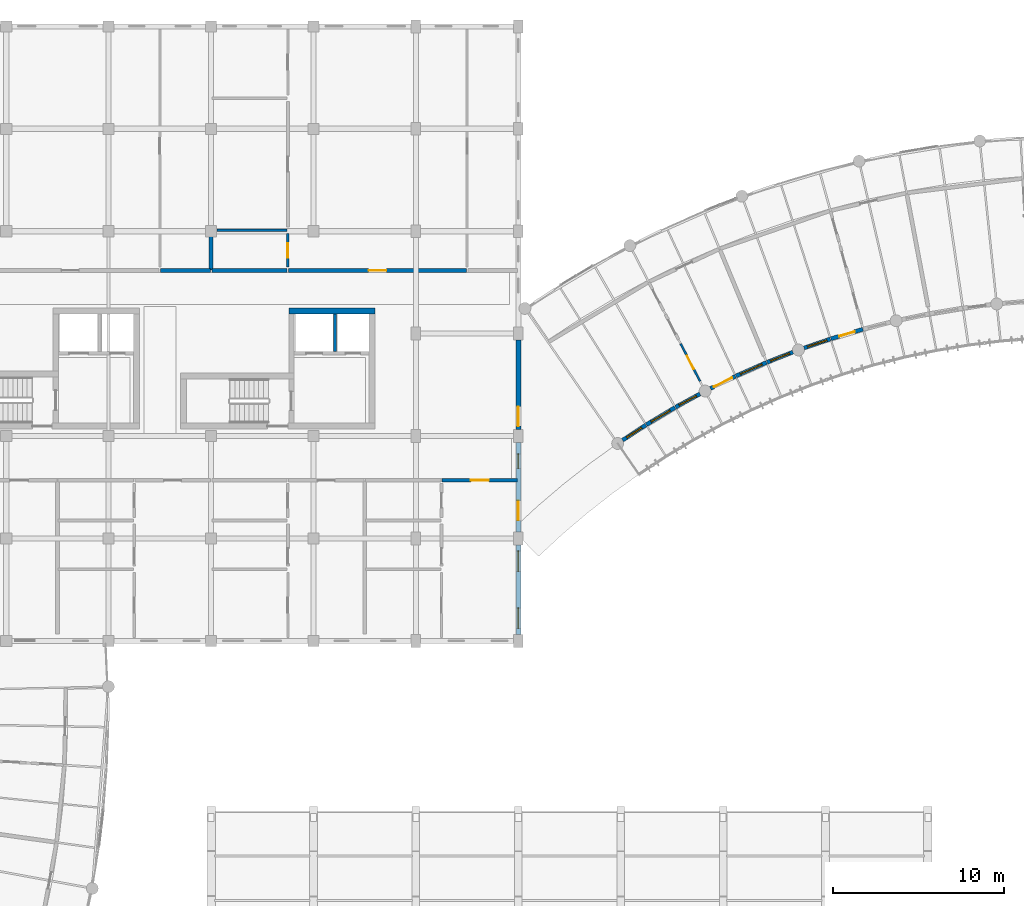
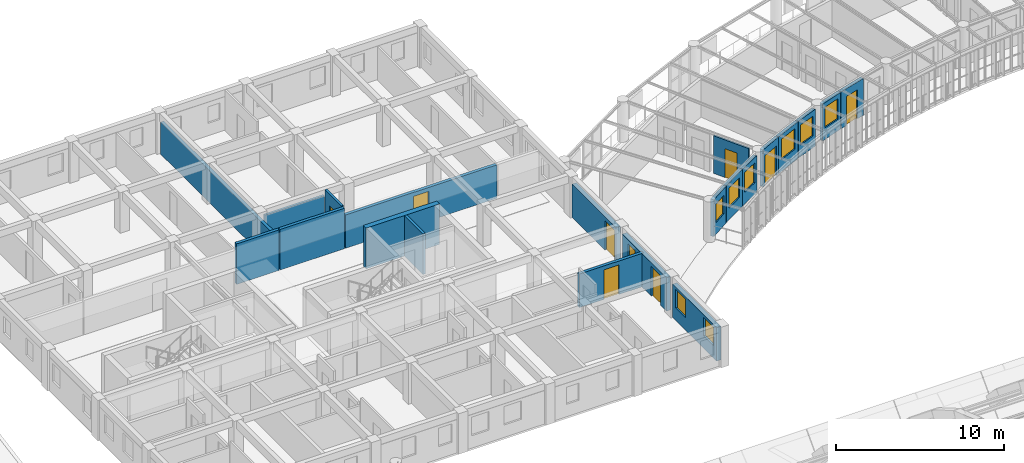
# One storey, part 91 of 123: 21 walls, 9 windows, 8 doors, 17 openings.
"""IFC4 building model written with IfcOpenShell, lengths in metres."""

from ifc_helpers import new_model, si_unit, direction, frame, frame_2d, origin, place, context, subcontext, project, spatial, rectangle, extrude, material, layer, layer_set, type_object, element, fill, save


model = new_model("IFC4")

# Units and contexts
model_context = context("Model", 3, precision=1e-05, world=origin(), true_north=direction((0.0, 1.0)))
body_context = subcontext(model_context, "Body", "Model", "MODEL_VIEW")
ifc_project = project(units=[si_unit("LENGTHUNIT", "METRE"), si_unit("AREAUNIT", "SQUARE_METRE"), si_unit("VOLUMEUNIT", "CUBIC_METRE"), si_unit("PLANEANGLEUNIT", "RADIAN"), si_unit("MASSUNIT", "GRAM", prefix="KILO"), si_unit("POWERUNIT", "WATT"), si_unit("THERMODYNAMICTEMPERATUREUNIT", "KELVIN")], contexts=[model_context])

# Site, building, storey
site_placement = place(None, origin())
site = spatial("IfcSite", under=ifc_project, at=site_placement, CompositionType="ELEMENT")
building_placement = place(site_placement, origin())
building = spatial("IfcBuilding", under=site, at=building_placement, Name="Ruvembo Vaulted Housing Court", CompositionType="ELEMENT")
storey_placement = place(building_placement, frame((0.0, 0.0, 7.699951171875)))
storey = spatial("IfcBuildingStorey", under=building, at=storey_placement, Name="L02", CompositionType="ELEMENT", Elevation=7.699951171875)

# Wall
ifc_material_1 = material(Name="Concrete C35/45", Category="concrete")
ifc_layer_1 = layer(ifc_material_1, 0.35009765625, Name="Concrete C35/45")
ifc_layer_set_1 = layer_set([ifc_layer_1], Name="Concrete C35/45")
wall_type_1 = type_object("IfcWallType", Name="WL-CORE-350", PredefinedType="SHEAR", material=ifc_layer_set_1)
wall_1_placement = place(storey_placement, frame((75.60009765625, 97.324951171875, 0.0), z_axis=(0.0, 0.0, 1.0), x_axis=(-1.0, 0.0, 0.0)))
element("IfcWall", 1, at=wall_1_placement, inside=storey, type_object=wall_type_1, Name="Core B2 L02 North Shear Wall", PredefinedType="SHEAR", context=body_context, shape_type="SweptSolid", body=[
    extrude(rectangle(XDim=5.050048828125, YDim=0.35009765625, at=frame_2d((2.52490234375, 0.0))), origin(), (0.0, 0.0, 1.0), 2.955078125),
])

# Wall, opening, door
ifc_material_2 = material(Name="Concrete Blockwork 210", Category="masonry")
ifc_layer_2 = layer(ifc_material_2, 0.2099609375, Name="Concrete Blockwork 210")
ifc_layer_set_2 = layer_set([ifc_layer_2], Name="Concrete Blockwork 210")
wall_type_2 = type_object("IfcWallType", Name="WL-CORR-210", PredefinedType="SOLIDWALL", material=ifc_layer_set_2)
wall_2_placement = place(storey_placement, frame((79.5400390625, 87.39990234375, 0.0), z_axis=(0.0, 0.0, 1.0), x_axis=(1.0, 0.0, 0.0)))
wall_2 = element("IfcWall", 2, at=wall_2_placement, inside=storey, type_object=wall_type_2, Name="L02 Flat B-L02-S4 Entrance WL-INT-L02-00557", PredefinedType="SOLIDWALL", context=body_context, shape_type="SweptSolid", body=[
    extrude(rectangle(XDim=4.419921875, YDim=0.2099609375, at=frame_2d((2.2099609375, 0.0))), origin(), (0.0, 0.0, 1.0), 2.43701171875),
])
opening_1_placement = place(wall_2_placement, frame((1.68505859375, 0.0, 0.0)))
opening_1 = element("IfcOpeningElement", 3, at=opening_1_placement, cuts=wall_2, Name="Opening FD3", PredefinedType="OPENING", context=body_context, shape_type="SweptSolid", body=[
    extrude(rectangle(XDim=1.050048828125, YDim=2.14990234375, at=frame_2d((0.52490234375, 1.074951171875))), frame((0.0, 0.114990234375, 0.0), z_axis=(0.0, -1.0, 0.0), x_axis=(1.0, 0.0, 0.0)), (0.0, 0.0, 1.0), 0.22998046875),
])
ifc_material_3 = material(Name="FSC Hardwood and Engineered Timber", Category="wood")
door_type_1 = type_object("IfcDoorType", Name="DR-FLAT-1050x2150", OperationType="NOTDEFINED", PredefinedType="DOOR", material=ifc_material_3)
door_1_placement = place(opening_1_placement, origin())
door_1 = element("IfcDoor", 4, at=door_1_placement, inside=storey, type_object=door_type_1, Name="L02 Flat B-L02-S4 Entrance Door DR-INT-L02-00302", OperationType="SINGLE_SWING_RIGHT", OverallHeight=2.14990234375, OverallWidth=1.050048828125, PredefinedType="DOOR", context=body_context, shape_type="SweptSolid", body=[
    extrude(rectangle(XDim=1.050048828125, YDim=2.14990234375, at=frame_2d((0.52490234375, 1.074951171875))), frame((0.0, 0.02490234375, 0.0), z_axis=(0.0, -1.0, 0.0), x_axis=(1.0, 0.0, 0.0)), (0.0, 0.0, 1.0), 0.050048828125),
])
fill(opening_1, door_1)

# Walls
wall_3_placement = place(storey_placement, frame((63.0400390625, 99.699951171875, 0.0), z_axis=(0.0, 0.0, 1.0), x_axis=(1.0, 0.0, 0.0)))
element("IfcWall", 5, at=wall_3_placement, inside=storey, type_object=wall_type_2, Name="L02 Flat B-L02-N1 Corridor Wall 2 WL-INT-L02-00571", PredefinedType="SOLIDWALL", context=body_context, shape_type="SweptSolid", body=[
    extrude(rectangle(XDim=2.919921875, YDim=0.2099609375, at=frame_2d((1.4599609375, 0.0))), origin(), (0.0, 0.0, 1.0), 2.955078125),
])
wall_4_placement = place(storey_placement, frame((66.0400390625, 99.699951171875, 0.0), z_axis=(0.0, 0.0, 1.0), x_axis=(1.0, 0.0, 0.0)))
element("IfcWall", 6, at=wall_4_placement, inside=storey, type_object=wall_type_2, Name="L02 Flat B-L02-N2 Corridor Wall WL-INT-L02-00573", PredefinedType="SOLIDWALL", context=body_context, shape_type="SweptSolid", body=[
    extrude(rectangle(XDim=4.419921875, YDim=0.2099609375, at=frame_2d((2.2099609375, 0.0))), origin(), (0.0, 0.0, 1.0), 2.955078125),
])

# Wall, opening, door
wall_5_placement = place(storey_placement, frame((70.5400390625, 99.699951171875, 0.0), z_axis=(0.0, 0.0, 1.0), x_axis=(1.0, 0.0, 0.0)))
wall_5 = element("IfcWall", 7, at=wall_5_placement, inside=storey, type_object=wall_type_2, Name="L02 Flat B-L02-N2 Entrance WL-INT-L02-00574", PredefinedType="SOLIDWALL", context=body_context, shape_type="SweptSolid", body=[
    extrude(rectangle(XDim=10.419921875, YDim=0.2099609375, at=frame_2d((5.2099609375, 0.0))), origin(), (0.0, 0.0, 1.0), 2.43701171875),
])
opening_2_placement = place(wall_5_placement, frame((4.68505859375, 0.0, 0.0)))
opening_2 = element("IfcOpeningElement", 8, at=opening_2_placement, cuts=wall_5, Name="Opening FD3", PredefinedType="OPENING", context=body_context, shape_type="SweptSolid", body=[
    extrude(rectangle(XDim=1.050048828125, YDim=2.14990234375, at=frame_2d((0.52490234375, 1.074951171875))), frame((0.0, 0.114990234375, 0.0), z_axis=(0.0, -1.0, 0.0), x_axis=(1.0, 0.0, 0.0)), (0.0, 0.0, 1.0), 0.22998046875),
])
door_2_placement = place(opening_2_placement, origin())
door_2 = element("IfcDoor", 9, at=door_2_placement, inside=storey, type_object=door_type_1, Name="L02 Flat B-L02-N2 Entrance Door DR-INT-L02-00311", OperationType="SINGLE_SWING_LEFT", OverallHeight=2.14990234375, OverallWidth=1.050048828125, PredefinedType="DOOR", context=body_context, shape_type="SweptSolid", body=[
    extrude(rectangle(XDim=1.050048828125, YDim=2.14990234375, at=frame_2d((0.52490234375, 1.074951171875))), frame((0.0, 0.02490234375, 0.0), z_axis=(0.0, -1.0, 0.0), x_axis=(1.0, 0.0, 0.0)), (0.0, 0.0, 1.0), 0.050048828125),
])
fill(opening_2, door_2)

# Wall
ifc_material_4 = material(Name="Acoustic Masonry Demising 220", Category="masonry")
ifc_layer_3 = layer(ifc_material_4, 0.219970703125, Name="Acoustic Masonry Demising 220")
ifc_layer_set_3 = layer_set([ifc_layer_3], Name="Acoustic Masonry Demising 220")
wall_type_3 = type_object("IfcWallType", Name="WL-DEM-200", PredefinedType="SOLIDWALL", material=ifc_layer_set_3)
wall_6_placement = place(storey_placement, frame((66.0, 99.739990234375, 0.0), z_axis=(0.0, 0.0, 1.0), x_axis=(0.0, 1.0, 0.0)))
element("IfcWall", 10, at=wall_6_placement, inside=storey, type_object=wall_type_3, Name="L02 Demising B-L02-N1 WL-INT-L02-00563", PredefinedType="SOLIDWALL", context=body_context, shape_type="SweptSolid", body=[
    extrude(rectangle(XDim=13.8701171875, YDim=0.219970703125, at=frame_2d((6.93505859375, 0.0))), origin(), (0.0, 0.0, 1.0), 2.337158203125),
])

# Wall, opening, window
ifc_material_5 = material(Name="Rendered Masonry 235", Category="masonry")
ifc_layer_4 = layer(ifc_material_5, 0.235107421875, Name="Rendered Masonry 235")
ifc_layer_set_4 = layer_set([ifc_layer_4], Name="Rendered Masonry 235")
wall_type_4 = type_object("IfcWallType", Name="WL-EXT-235", PredefinedType="STANDARD", material=ifc_layer_set_4)
wall_7_placement = place(storey_placement, frame((90.1142578125, 89.756591796875, 0.0), z_axis=(0.0, 0.0, 1.0), x_axis=(0.835873156341, 0.548922641644, 0.0)))
wall_7 = element("IfcWall", 11, at=wall_7_placement, inside=storey, type_object=wall_type_4, Name="Scoop SC3 L02 Concave Balcony Wall 0", PredefinedType="STANDARD", context=body_context, shape_type="SweptSolid", body=[
    extrude(rectangle(XDim=1.62255859375, YDim=0.235107421875, at=frame_2d((0.811279296875, 0.0))), origin(), (0.0, 0.0, 1.0), 2.68408203125),
])
opening_3_placement = place(wall_7_placement, frame((0.2861328125, 0.0, 0.85009765625)))
opening_3 = element("IfcOpeningElement", 12, at=opening_3_placement, cuts=wall_7, Name="Opening W09", PredefinedType="OPENING", context=body_context, shape_type="SweptSolid", body=[
    extrude(rectangle(XDim=1.050048828125, YDim=1.35009765625, at=frame_2d((0.52490234375, 0.675048828125))), frame((0.0, 0.12744140625, 0.0), z_axis=(0.0, -1.0, 0.0), x_axis=(1.0, 0.0, 0.0)), (0.0, 0.0, 1.0), 0.255126953125),
])
ifc_material_6 = material(Name="Double Solar-Control Glazing in Aluminium Frame", Category="aluminium")
window_type_1 = type_object("IfcWindowType", Name="WIN-1050x1350", PartitioningType="SINGLE_PANEL", PredefinedType="WINDOW", material=ifc_material_6)
window_1_placement = place(opening_3_placement, origin())
window_1 = element("IfcWindow", 13, at=window_1_placement, inside=storey, type_object=window_type_1, Name="Scoop SC3 L02 Concave Window 0", OverallHeight=1.35009765625, OverallWidth=1.050048828125, PartitioningType="SINGLE_PANEL", PredefinedType="WINDOW", context=body_context, shape_type="SweptSolid", body=[
    extrude(rectangle(XDim=1.050048828125, YDim=1.35009765625, at=frame_2d((0.52490234375, 0.675048828125))), frame((0.0, 0.030029296875, 0.0), z_axis=(0.0, -1.0, 0.0), x_axis=(1.0, 0.0, 0.0)), (0.0, 0.0, 1.0), 0.06005859375),
])
fill(opening_3, window_1)

wall_8_placement = place(storey_placement, frame((91.50439453125, 90.66845703125, 0.0), z_axis=(0.0, 0.0, 1.0), x_axis=(0.85787888411, 0.51385194385, 0.0)))
wall_8 = element("IfcWall", 14, at=wall_8_placement, inside=storey, type_object=wall_type_4, Name="Scoop SC3 L02 Concave Balcony Wall 1", PredefinedType="STANDARD", context=body_context, shape_type="SweptSolid", body=[
    extrude(rectangle(XDim=1.9521484375, YDim=0.235107421875, at=frame_2d((0.97607421875, 0.0))), origin(), (0.0, 0.0, 1.0), 2.68408203125),
])
opening_4_placement = place(wall_8_placement, frame((0.326171875, 0.0, 0.85009765625)))
opening_4 = element("IfcOpeningElement", 15, at=opening_4_placement, cuts=wall_8, Name="Opening W15", PredefinedType="OPENING", context=body_context, shape_type="SweptSolid", body=[
    extrude(rectangle(XDim=1.300048828125, YDim=1.449951171875, at=frame_2d((0.64990234375, 0.72509765625))), frame((0.0, 0.12744140625, 0.0), z_axis=(0.0, -1.0, 0.0), x_axis=(1.0, 0.0, 0.0)), (0.0, 0.0, 1.0), 0.255126953125),
])
window_type_2 = type_object("IfcWindowType", Name="WIN-1300x1450", PartitioningType="SINGLE_PANEL", PredefinedType="WINDOW", material=ifc_material_6)
window_2_placement = place(opening_4_placement, origin())
window_2 = element("IfcWindow", 16, at=window_2_placement, inside=storey, type_object=window_type_2, Name="Scoop SC3 L02 Concave Window 1", OverallHeight=1.449951171875, OverallWidth=1.300048828125, PartitioningType="SINGLE_PANEL", PredefinedType="WINDOW", context=body_context, shape_type="SweptSolid", body=[
    extrude(rectangle(XDim=1.300048828125, YDim=1.449951171875, at=frame_2d((0.64990234375, 0.72509765625))), frame((0.0, 0.030029296875, 0.0), z_axis=(0.0, -1.0, 0.0), x_axis=(1.0, 0.0, 0.0)), (0.0, 0.0, 1.0), 0.06005859375),
])
fill(opening_4, window_2)

wall_9_placement = place(storey_placement, frame((93.214111328125, 91.691650390625, 0.0), z_axis=(0.0, 0.0, 1.0), x_axis=(0.878452871629, 0.477828999044, 0.0)))
wall_9 = element("IfcWall", 17, at=wall_9_placement, inside=storey, type_object=wall_type_4, Name="Scoop SC3 L02 Concave Balcony Wall 2", PredefinedType="STANDARD", context=body_context, shape_type="SweptSolid", body=[
    extrude(rectangle(XDim=1.622314453125, YDim=0.235107421875, at=frame_2d((0.81103515625, 0.0))), origin(), (0.0, 0.0, 1.0), 2.68408203125),
])
opening_5_placement = place(wall_9_placement, frame((0.236083984375, 0.0, 0.85009765625)))
opening_5 = element("IfcOpeningElement", 18, at=opening_5_placement, cuts=wall_9, Name="Opening W11", PredefinedType="OPENING", context=body_context, shape_type="SweptSolid", body=[
    extrude(rectangle(XDim=1.14990234375, YDim=1.449951171875, at=frame_2d((0.574951171875, 0.72509765625))), frame((0.0, 0.12744140625, 0.0), z_axis=(0.0, -1.0, 0.0), x_axis=(1.0, 0.0, 0.0)), (0.0, 0.0, 1.0), 0.255126953125),
])
window_type_3 = type_object("IfcWindowType", Name="WIN-1150x1450", PartitioningType="SINGLE_PANEL", PredefinedType="WINDOW", material=ifc_material_6)
window_3_placement = place(opening_5_placement, origin())
window_3 = element("IfcWindow", 19, at=window_3_placement, inside=storey, type_object=window_type_3, Name="Scoop SC3 L02 Concave Window 2", OverallHeight=1.449951171875, OverallWidth=1.14990234375, PartitioningType="SINGLE_PANEL", PredefinedType="WINDOW", context=body_context, shape_type="SweptSolid", body=[
    extrude(rectangle(XDim=1.14990234375, YDim=1.449951171875, at=frame_2d((0.574951171875, 0.72509765625))), frame((0.0, 0.030029296875, 0.0), z_axis=(0.0, -1.0, 0.0), x_axis=(1.0, 0.0, 0.0)), (0.0, 0.0, 1.0), 0.06005859375),
])
fill(opening_5, window_3)

# Wall, opening, door
wall_10_placement = place(storey_placement, frame((95.2607421875, 92.7880859375, 0.0), z_axis=(0.0, 0.0, 1.0), x_axis=(0.897535518759, 0.440942164649, 0.0)))
wall_10 = element("IfcWall", 20, at=wall_10_placement, inside=storey, type_object=wall_type_4, Name="Scoop SC3 L02 Concave Balcony Wall 3", PredefinedType="STANDARD", context=body_context, shape_type="SweptSolid", body=[
    extrude(rectangle(XDim=1.622314453125, YDim=0.235107421875, at=frame_2d((0.81103515625, 0.0))), origin(), (0.0, 0.0, 1.0), 2.68408203125),
])
opening_6_placement = place(wall_10_placement, frame((0.211181640625, 0.0, 0.0)))
opening_6 = element("IfcOpeningElement", 21, at=opening_6_placement, cuts=wall_10, Name="Opening BD2", PredefinedType="OPENING", context=body_context, shape_type="SweptSolid", body=[
    extrude(rectangle(XDim=1.199951171875, YDim=2.14990234375, at=frame_2d((0.60009765625, 1.074951171875))), frame((0.0, 0.12744140625, 0.0), z_axis=(0.0, -1.0, 0.0), x_axis=(1.0, 0.0, 0.0)), (0.0, 0.0, 1.0), 0.255126953125),
])
ifc_material_7 = material(Name="Thermally Broken Glazed Aluminium", Category="aluminium")
door_type_2 = type_object("IfcDoorType", Name="DR-BAL-1200x2150", OperationType="NOTDEFINED", PredefinedType="DOOR", material=ifc_material_7)
door_3_placement = place(opening_6_placement, frame((1.199951171875, 0.0, 0.0), z_axis=(0.0, 0.0, 1.0), x_axis=(-1.0, 0.0, 0.0)))
door_3 = element("IfcDoor", 22, at=door_3_placement, inside=storey, type_object=door_type_2, Name="Scoop SC3 L02 Balcony Door 3", OperationType="SINGLE_SWING_RIGHT", OverallHeight=2.14990234375, OverallWidth=1.199951171875, PredefinedType="DOOR", context=body_context, shape_type="SweptSolid", body=[
    extrude(rectangle(XDim=1.199951171875, YDim=2.14990234375, at=frame_2d((0.60009765625, 1.074951171875))), frame((0.0, 0.02490234375, 0.0), z_axis=(0.0, -1.0, 0.0), x_axis=(1.0, 0.0, 0.0)), (0.0, 0.0, 1.0), 0.050048828125),
])
fill(opening_6, door_3)

# Wall, opening, window
wall_11_placement = place(storey_placement, frame((96.753173828125, 93.5205078125, 0.0), z_axis=(0.0, 0.0, 1.0), x_axis=(0.915126852478, 0.403166025197, 0.0)))
wall_11 = element("IfcWall", 23, at=wall_11_placement, inside=storey, type_object=wall_type_4, Name="Scoop SC3 L02 Concave Balcony Wall 4", PredefinedType="STANDARD", context=body_context, shape_type="SweptSolid", body=[
    extrude(rectangle(XDim=1.952392578125, YDim=0.235107421875, at=frame_2d((0.97607421875, 0.0))), origin(), (0.0, 0.0, 1.0), 2.68408203125),
])
opening_7_placement = place(wall_11_placement, frame((0.276123046875, 0.0, 0.85009765625)))
opening_7 = element("IfcOpeningElement", 24, at=opening_7_placement, cuts=wall_11, Name="Opening W17", PredefinedType="OPENING", context=body_context, shape_type="SweptSolid", body=[
    extrude(rectangle(XDim=1.39990234375, YDim=1.5, at=frame_2d((0.699951171875, 0.75))), frame((0.0, 0.12744140625, 0.0), z_axis=(0.0, -1.0, 0.0), x_axis=(1.0, 0.0, 0.0)), (0.0, 0.0, 1.0), 0.255126953125),
])
window_type_4 = type_object("IfcWindowType", Name="WIN-1400x1500", PartitioningType="SINGLE_PANEL", PredefinedType="WINDOW", material=ifc_material_6)
window_4_placement = place(opening_7_placement, origin())
window_4 = element("IfcWindow", 25, at=window_4_placement, inside=storey, type_object=window_type_4, Name="Scoop SC3 L02 Concave Window 4", OverallHeight=1.5, OverallWidth=1.39990234375, PartitioningType="SINGLE_PANEL", PredefinedType="WINDOW", context=body_context, shape_type="SweptSolid", body=[
    extrude(rectangle(XDim=1.39990234375, YDim=1.5, at=frame_2d((0.699951171875, 0.75))), frame((0.0, 0.030029296875, 0.0), z_axis=(0.0, -1.0, 0.0), x_axis=(1.0, 0.0, 0.0)), (0.0, 0.0, 1.0), 0.06005859375),
])
fill(opening_7, window_4)

wall_12_placement = place(storey_placement, frame((98.57666015625, 94.322998046875, 0.0), z_axis=(0.0, 0.0, 1.0), x_axis=(0.930967180533, 0.365102874228, 0.0)))
wall_12 = element("IfcWall", 26, at=wall_12_placement, inside=storey, type_object=wall_type_4, Name="Scoop SC3 L02 Concave Balcony Wall 5", PredefinedType="STANDARD", context=body_context, shape_type="SweptSolid", body=[
    extrude(rectangle(XDim=1.622314453125, YDim=0.235107421875, at=frame_2d((0.81103515625, 0.0))), origin(), (0.0, 0.0, 1.0), 2.68408203125),
])
opening_8_placement = place(wall_12_placement, frame((0.211181640625, 0.0, 0.85009765625)))
opening_8 = element("IfcOpeningElement", 27, at=opening_8_placement, cuts=wall_12, Name="Opening W13", PredefinedType="OPENING", context=body_context, shape_type="SweptSolid", body=[
    extrude(rectangle(XDim=1.199951171875, YDim=1.449951171875, at=frame_2d((0.60009765625, 0.72509765625))), frame((0.0, 0.12744140625, 0.0), z_axis=(0.0, -1.0, 0.0), x_axis=(1.0, 0.0, 0.0)), (0.0, 0.0, 1.0), 0.255126953125),
])
window_type_5 = type_object("IfcWindowType", Name="WIN-1200x1450", PartitioningType="SINGLE_PANEL", PredefinedType="WINDOW", material=ifc_material_6)
window_5_placement = place(opening_8_placement, origin())
window_5 = element("IfcWindow", 28, at=window_5_placement, inside=storey, type_object=window_type_5, Name="Scoop SC3 L02 Concave Window 5", OverallHeight=1.449951171875, OverallWidth=1.199951171875, PartitioningType="SINGLE_PANEL", PredefinedType="WINDOW", context=body_context, shape_type="SweptSolid", body=[
    extrude(rectangle(XDim=1.199951171875, YDim=1.449951171875, at=frame_2d((0.60009765625, 0.72509765625))), frame((0.0, 0.030029296875, 0.0), z_axis=(0.0, -1.0, 0.0), x_axis=(1.0, 0.0, 0.0)), (0.0, 0.0, 1.0), 0.06005859375),
])
fill(opening_8, window_5)

wall_13_placement = place(storey_placement, frame((100.743896484375, 95.156982421875, 0.0), z_axis=(0.0, 0.0, 1.0), x_axis=(0.945336194352, 0.32609734689, 0.0)))
wall_13 = element("IfcWall", 29, at=wall_13_placement, inside=storey, type_object=wall_type_4, Name="Scoop SC3 L02 Concave Balcony Wall 6", PredefinedType="STANDARD", context=body_context, shape_type="SweptSolid", body=[
    extrude(rectangle(XDim=1.622314453125, YDim=0.235107421875, at=frame_2d((0.81103515625, 0.0))), origin(), (0.0, 0.0, 1.0), 2.68408203125),
])
opening_9_placement = place(wall_13_placement, frame((0.211181640625, 0.0, 0.85009765625)))
opening_9 = element("IfcOpeningElement", 30, at=opening_9_placement, cuts=wall_13, Name="Opening W14", PredefinedType="OPENING", context=body_context, shape_type="SweptSolid", body=[
    extrude(rectangle(XDim=1.199951171875, YDim=1.5, at=frame_2d((0.60009765625, 0.75))), frame((0.0, 0.12744140625, 0.0), z_axis=(0.0, -1.0, 0.0), x_axis=(1.0, 0.0, 0.0)), (0.0, 0.0, 1.0), 0.255126953125),
])
window_type_6 = type_object("IfcWindowType", Name="WIN-1200x1500", PartitioningType="SINGLE_PANEL", PredefinedType="WINDOW", material=ifc_material_6)
window_6_placement = place(opening_9_placement, origin())
window_6 = element("IfcWindow", 31, at=window_6_placement, inside=storey, type_object=window_type_6, Name="Scoop SC3 L02 Concave Window 6", OverallHeight=1.5, OverallWidth=1.199951171875, PartitioningType="SINGLE_PANEL", PredefinedType="WINDOW", context=body_context, shape_type="SweptSolid", body=[
    extrude(rectangle(XDim=1.199951171875, YDim=1.5, at=frame_2d((0.60009765625, 0.75))), frame((0.0, 0.030029296875, 0.0), z_axis=(0.0, -1.0, 0.0), x_axis=(1.0, 0.0, 0.0)), (0.0, 0.0, 1.0), 0.06005859375),
])
fill(opening_9, window_6)

# Wall, opening, door
wall_14_placement = place(storey_placement, frame((102.315673828125, 95.6982421875, 0.0), z_axis=(0.0, 0.0, 1.0), x_axis=(0.95807718441, 0.286510224446, 0.0)))
wall_14 = element("IfcWall", 32, at=wall_14_placement, inside=storey, type_object=wall_type_4, Name="Scoop SC3 L02 Concave Balcony Wall 7", PredefinedType="STANDARD", context=body_context, shape_type="SweptSolid", body=[
    extrude(rectangle(XDim=1.9521484375, YDim=0.235107421875, at=frame_2d((0.97607421875, 0.0))), origin(), (0.0, 0.0, 1.0), 2.68408203125),
])
opening_10_placement = place(wall_14_placement, frame((0.501220703125, 0.0, 0.0)))
opening_10 = element("IfcOpeningElement", 33, at=opening_10_placement, cuts=wall_14, Name="Opening BD0", PredefinedType="OPENING", context=body_context, shape_type="SweptSolid", body=[
    extrude(rectangle(XDim=0.949951171875, YDim=2.1201171875, at=frame_2d((0.47509765625, 1.06005859375))), frame((0.0, 0.12744140625, 0.0), z_axis=(0.0, -1.0, 0.0), x_axis=(1.0, 0.0, 0.0)), (0.0, 0.0, 1.0), 0.255126953125),
])
door_type_3 = type_object("IfcDoorType", Name="DR-BAL-0950x2120", OperationType="NOTDEFINED", PredefinedType="DOOR", material=ifc_material_7)
door_4_placement = place(opening_10_placement, frame((0.949951171875, 0.0, 0.0), z_axis=(0.0, 0.0, 1.0), x_axis=(-1.0, 0.0, 0.0)))
door_4 = element("IfcDoor", 34, at=door_4_placement, inside=storey, type_object=door_type_3, Name="Scoop SC3 L02 Balcony Door 7", OperationType="SINGLE_SWING_LEFT", OverallHeight=2.1201171875, OverallWidth=0.949951171875, PredefinedType="DOOR", context=body_context, shape_type="SweptSolid", body=[
    extrude(rectangle(XDim=0.949951171875, YDim=2.1201171875, at=frame_2d((0.47509765625, 1.06005859375))), frame((0.0, 0.02490234375, 0.0), z_axis=(0.0, -1.0, 0.0), x_axis=(1.0, 0.0, 0.0)), (0.0, 0.0, 1.0), 0.050048828125),
])
fill(opening_10, door_4)

# Wall, openings, windows
ifc_material_8 = material(Name="Rendered Masonry 300", Category="masonry")
ifc_layer_5 = layer(ifc_material_8, 0.300048828125, Name="Rendered Masonry 300")
ifc_layer_set_5 = layer_set([ifc_layer_5], Name="Rendered Masonry 300")
wall_type_5 = type_object("IfcWallType", Name="WL-EXT-300", PredefinedType="STANDARD", material=ifc_layer_set_5)
wall_15_placement = place(storey_placement, frame((84.0, 78.375, 0.0), z_axis=(0.0, 0.0, 1.0), x_axis=(0.0, 1.0, 0.0)))
wall_15 = element("IfcWall", 35, at=wall_15_placement, inside=storey, type_object=wall_type_5, Name="Block B L02 Exterior Wall EAST #1", PredefinedType="STANDARD", context=body_context, shape_type="SweptSolid", body=[
    extrude(rectangle(XDim=5.25, YDim=0.300048828125, at=frame_2d((2.625, 0.0))), origin(), (0.0, 0.0, 1.0), 2.43701171875),
])
opening_11_placement = place(wall_15_placement, frame((0.35009765625, 0.0, 0.89990234375)))
opening_11 = element("IfcOpeningElement", 36, at=opening_11_placement, cuts=wall_15, Name="Opening W12", PredefinedType="OPENING", context=body_context, shape_type="SweptSolid", body=[
    extrude(rectangle(XDim=1.199951171875, YDim=1.35009765625, at=frame_2d((0.60009765625, 0.675048828125))), frame((0.0, 0.159912109375, 0.0), z_axis=(0.0, -1.0, 0.0), x_axis=(1.0, 0.0, 0.0)), (0.0, 0.0, 1.0), 0.320068359375),
])
opening_12_placement = place(wall_15_placement, frame((3.699951171875, 0.0, 0.89990234375)))
opening_12 = element("IfcOpeningElement", 37, at=opening_12_placement, cuts=wall_15, Name="Opening W12", PredefinedType="OPENING", context=body_context, shape_type="SweptSolid", body=[
    extrude(rectangle(XDim=1.199951171875, YDim=1.35009765625, at=frame_2d((0.60009765625, 0.675048828125))), frame((0.0, 0.159912109375, 0.0), z_axis=(0.0, -1.0, 0.0), x_axis=(1.0, 0.0, 0.0)), (0.0, 0.0, 1.0), 0.320068359375),
])
window_type_7 = type_object("IfcWindowType", Name="WIN-1200x1350", PartitioningType="SINGLE_PANEL", PredefinedType="WINDOW", material=ifc_material_6)
window_7_placement = place(opening_11_placement, origin())
window_7 = element("IfcWindow", 38, at=window_7_placement, inside=storey, type_object=window_type_7, Name="Block B L02 Window #695", OverallHeight=1.35009765625, OverallWidth=1.199951171875, PartitioningType="SINGLE_PANEL", PredefinedType="WINDOW", context=body_context, shape_type="SweptSolid", body=[
    extrude(rectangle(XDim=1.199951171875, YDim=1.35009765625, at=frame_2d((0.60009765625, 0.675048828125))), frame((0.0, 0.030029296875, 0.0), z_axis=(0.0, -1.0, 0.0), x_axis=(1.0, 0.0, 0.0)), (0.0, 0.0, 1.0), 0.06005859375),
])
fill(opening_11, window_7)
window_8_placement = place(opening_12_placement, origin())
window_8 = element("IfcWindow", 39, at=window_8_placement, inside=storey, type_object=window_type_7, Name="Block B L02 Window #696", OverallHeight=1.35009765625, OverallWidth=1.199951171875, PartitioningType="SINGLE_PANEL", PredefinedType="WINDOW", context=body_context, shape_type="SweptSolid", body=[
    extrude(rectangle(XDim=1.199951171875, YDim=1.35009765625, at=frame_2d((0.60009765625, 0.675048828125))), frame((0.0, 0.030029296875, 0.0), z_axis=(0.0, -1.0, 0.0), x_axis=(1.0, 0.0, 0.0)), (0.0, 0.0, 1.0), 0.06005859375),
])
fill(opening_12, window_8)

# Wall, openings, door, window
wall_16_placement = place(storey_placement, frame((84.0, 84.375, 0.0), z_axis=(0.0, 0.0, 1.0), x_axis=(0.0, 1.0, 0.0)))
wall_16 = element("IfcWall", 40, at=wall_16_placement, inside=storey, type_object=wall_type_5, Name="Block B L02 Exterior Wall EAST #2", PredefinedType="STANDARD", context=body_context, shape_type="SweptSolid", body=[
    extrude(rectangle(XDim=5.25, YDim=0.300048828125, at=frame_2d((2.625, 0.0))), origin(), (0.0, 0.0, 1.0), 2.43701171875),
])
opening_13_placement = place(wall_16_placement, frame((0.67822265625, 0.0, 0.0)))
opening_13 = element("IfcOpeningElement", 41, at=opening_13_placement, cuts=wall_16, Name="Opening GD1", PredefinedType="OPENING", context=body_context, shape_type="SweptSolid", body=[
    extrude(rectangle(XDim=1.14990234375, YDim=2.14990234375, at=frame_2d((0.574951171875, 1.074951171875))), frame((0.0, 0.159912109375, 0.0), z_axis=(0.0, -1.0, 0.0), x_axis=(1.0, 0.0, 0.0)), (0.0, 0.0, 1.0), 0.320068359375),
])
opening_14_placement = place(wall_16_placement, frame((3.732421875, 0.0, 0.89990234375)))
opening_14 = element("IfcOpeningElement", 42, at=opening_14_placement, cuts=wall_16, Name="Opening W03", PredefinedType="OPENING", context=body_context, shape_type="SweptSolid", body=[
    extrude(rectangle(XDim=0.85009765625, YDim=1.25, at=frame_2d((0.425048828125, 0.625))), frame((0.0, 0.159912109375, 0.0), z_axis=(0.0, -1.0, 0.0), x_axis=(1.0, 0.0, 0.0)), (0.0, 0.0, 1.0), 0.320068359375),
])
door_type_4 = type_object("IfcDoorType", Name="DR-GAL-1150x2150", OperationType="NOTDEFINED", PredefinedType="DOOR", material=ifc_material_7)
door_5_placement = place(opening_13_placement, frame((1.14990234375, 0.0, 0.0), z_axis=(0.0, 0.0, 1.0), x_axis=(-1.0, 0.0, 0.0)))
door_5 = element("IfcDoor", 43, at=door_5_placement, inside=storey, type_object=door_type_4, Name="Block B L02 Terrace or Gallery Door DR-TER-B-L02-033", OperationType="SINGLE_SWING_RIGHT", OverallHeight=2.14990234375, OverallWidth=1.14990234375, PredefinedType="DOOR", context=body_context, shape_type="SweptSolid", body=[
    extrude(rectangle(XDim=1.14990234375, YDim=2.14990234375, at=frame_2d((0.574951171875, 1.074951171875))), frame((0.0, 0.02490234375, 0.0), z_axis=(0.0, -1.0, 0.0), x_axis=(1.0, 0.0, 0.0)), (0.0, 0.0, 1.0), 0.050048828125),
])
fill(opening_13, door_5)
window_type_8 = type_object("IfcWindowType", Name="WIN-0850x1250", PartitioningType="SINGLE_PANEL", PredefinedType="WINDOW", material=ifc_material_6)
window_9_placement = place(opening_14_placement, origin())
window_9 = element("IfcWindow", 44, at=window_9_placement, inside=storey, type_object=window_type_8, Name="Block B L02 Window #697", OverallHeight=1.25, OverallWidth=0.85009765625, PartitioningType="SINGLE_PANEL", PredefinedType="WINDOW", context=body_context, shape_type="SweptSolid", body=[
    extrude(rectangle(XDim=0.85009765625, YDim=1.25, at=frame_2d((0.425048828125, 0.625))), frame((0.0, 0.030029296875, 0.0), z_axis=(0.0, -1.0, 0.0), x_axis=(1.0, 0.0, 0.0)), (0.0, 0.0, 1.0), 0.06005859375),
])
fill(opening_14, window_9)

# Wall, opening, door
wall_17_placement = place(storey_placement, frame((84.0, 90.375, 0.0), z_axis=(0.0, 0.0, 1.0), x_axis=(0.0, 1.0, 0.0)))
wall_17 = element("IfcWall", 45, at=wall_17_placement, inside=storey, type_object=wall_type_5, Name="Block B L02 Exterior Wall EAST #3", PredefinedType="STANDARD", context=body_context, shape_type="SweptSolid", body=[
    extrude(rectangle(XDim=5.25, YDim=0.300048828125, at=frame_2d((2.625, 0.0))), origin(), (0.0, 0.0, 1.0), 2.43701171875),
])
opening_15_placement = place(wall_17_placement, frame((0.199951171875, 0.0, 0.0)))
opening_15 = element("IfcOpeningElement", 46, at=opening_15_placement, cuts=wall_17, Name="Opening GD1", PredefinedType="OPENING", context=body_context, shape_type="SweptSolid", body=[
    extrude(rectangle(XDim=1.14990234375, YDim=2.14990234375, at=frame_2d((0.574951171875, 1.074951171875))), frame((0.0, 0.159912109375, 0.0), z_axis=(0.0, -1.0, 0.0), x_axis=(1.0, 0.0, 0.0)), (0.0, 0.0, 1.0), 0.320068359375),
])
door_6_placement = place(opening_15_placement, frame((1.14990234375, 0.0, 0.0), z_axis=(0.0, 0.0, 1.0), x_axis=(-1.0, 0.0, 0.0)))
door_6 = element("IfcDoor", 47, at=door_6_placement, inside=storey, type_object=door_type_4, Name="Block B L02 Terrace or Gallery Door DR-TER-B-L02-034", OperationType="SINGLE_SWING_LEFT", OverallHeight=2.14990234375, OverallWidth=1.14990234375, PredefinedType="DOOR", context=body_context, shape_type="SweptSolid", body=[
    extrude(rectangle(XDim=1.14990234375, YDim=2.14990234375, at=frame_2d((0.574951171875, 1.074951171875))), frame((0.0, 0.02490234375, 0.0), z_axis=(0.0, -1.0, 0.0), x_axis=(1.0, 0.0, 0.0)), (0.0, 0.0, 1.0), 0.050048828125),
])
fill(opening_15, door_6)

ifc_material_9 = material(Name="Plasterboard Stud Partition 125", Category="gypsum")
ifc_layer_6 = layer(ifc_material_9, 0.125, Name="Plasterboard Stud Partition 125")
ifc_layer_set_6 = layer_set([ifc_layer_6], Name="Plasterboard Stud Partition 125")
wall_type_6 = type_object("IfcWallType", Name="WL-PART-125", PredefinedType="PARTITIONING", material=ifc_layer_set_6)
wall_18_placement = place(storey_placement, frame((94.64892578125, 93.20947265625, 0.0), z_axis=(0.0, 0.0, 1.0), x_axis=(-0.459457735566, 0.888199633657, 0.0)))
wall_18 = element("IfcWall", 48, at=wall_18_placement, inside=storey, type_object=wall_type_6, Name="L02 Suite SC3-L02-U1 Bedroom WL-INT-L02-00742", PredefinedType="PARTITIONING", context=body_context, shape_type="SweptSolid", body=[
    extrude(rectangle(XDim=2.47998046875, YDim=0.125, at=frame_2d((1.239990234375, 0.0))), origin(), (0.0, 0.0, 1.0), 2.741943359375),
])
opening_16_placement = place(wall_18_placement, frame((0.800048828125, 0.0, 0.0)))
opening_16 = element("IfcOpeningElement", 49, at=opening_16_placement, cuts=wall_18, Name="Opening ID3", PredefinedType="OPENING", context=body_context, shape_type="SweptSolid", body=[
    extrude(rectangle(XDim=0.8798828125, YDim=2.10009765625, at=frame_2d((0.43994140625, 1.050048828125))), frame((0.0, 0.072509765625, 0.0), z_axis=(0.0, -1.0, 0.0), x_axis=(1.0, 0.0, 0.0)), (0.0, 0.0, 1.0), 0.14501953125),
])
door_type_5 = type_object("IfcDoorType", Name="DR-ROOM-0880x2100", OperationType="NOTDEFINED", PredefinedType="DOOR", material=ifc_material_3)
door_7_placement = place(opening_16_placement, origin())
door_7 = element("IfcDoor", 50, at=door_7_placement, inside=storey, type_object=door_type_5, Name="L02 Suite SC3-L02-U1 Bedroom Door DR-INT-L02-00409", OperationType="SINGLE_SWING_LEFT", OverallHeight=2.10009765625, OverallWidth=0.8798828125, PredefinedType="DOOR", context=body_context, shape_type="SweptSolid", body=[
    extrude(rectangle(XDim=0.8798828125, YDim=2.10009765625, at=frame_2d((0.43994140625, 1.050048828125))), frame((0.0, 0.02490234375, 0.0), z_axis=(0.0, -1.0, 0.0), x_axis=(1.0, 0.0, 0.0)), (0.0, 0.0, 1.0), 0.050048828125),
])
fill(opening_16, door_7)

ifc_material_10 = material(Name="Moisture-Resistant Wet Partition 150", Category="gypsum")
ifc_layer_7 = layer(ifc_material_10, 0.14990234375, Name="Moisture-Resistant Wet Partition 150")
ifc_layer_set_7 = layer_set([ifc_layer_7], Name="Moisture-Resistant Wet Partition 150")
wall_type_7 = type_object("IfcWallType", Name="WL-PART-150", PredefinedType="PARTITIONING", material=ifc_layer_set_7)
wall_19_placement = place(storey_placement, frame((70.5, 99.889892578125, 0.0), z_axis=(0.0, 0.0, 1.0), x_axis=(0.0, 1.0, 0.0)))
wall_19 = element("IfcWall", 51, at=wall_19_placement, inside=storey, type_object=wall_type_7, Name="L02 Flat B-L02-N2 Bathroom WL-INT-L02-00577", PredefinedType="PARTITIONING", context=body_context, shape_type="SweptSolid", body=[
    extrude(rectangle(XDim=1.97021484375, YDim=0.14990234375, at=frame_2d((0.985107421875, 0.0))), origin(), (0.0, 0.0, 1.0), 2.955078125),
])
opening_17_placement = place(wall_19_placement, frame((0.56005859375, 0.0, 0.0)))
opening_17 = element("IfcOpeningElement", 52, at=opening_17_placement, cuts=wall_19, Name="Opening ID2", PredefinedType="OPENING", context=body_context, shape_type="SweptSolid", body=[
    extrude(rectangle(XDim=0.85009765625, YDim=2.10009765625, at=frame_2d((0.425048828125, 1.050048828125))), frame((0.0, 0.0849609375, 0.0), z_axis=(0.0, -1.0, 0.0), x_axis=(1.0, 0.0, 0.0)), (0.0, 0.0, 1.0), 0.169921875),
])
door_type_6 = type_object("IfcDoorType", Name="DR-WET-0850x2100", OperationType="NOTDEFINED", PredefinedType="DOOR", material=ifc_material_3)
door_8_placement = place(opening_17_placement, origin())
door_8 = element("IfcDoor", 53, at=door_8_placement, inside=storey, type_object=door_type_6, Name="L02 Flat B-L02-N2 Bathroom Door DR-INT-L02-00314", OperationType="SINGLE_SWING_RIGHT", OverallHeight=2.10009765625, OverallWidth=0.85009765625, PredefinedType="DOOR", context=body_context, shape_type="SweptSolid", body=[
    extrude(rectangle(XDim=0.85009765625, YDim=2.10009765625, at=frame_2d((0.425048828125, 1.050048828125))), frame((0.0, 0.02490234375, 0.0), z_axis=(0.0, -1.0, 0.0), x_axis=(1.0, 0.0, 0.0)), (0.0, 0.0, 1.0), 0.050048828125),
])
fill(opening_17, door_8)

# Walls
wall_20_placement = place(storey_placement, frame((66.360107421875, 102.050048828125, 0.0), z_axis=(0.0, 0.0, 1.0), x_axis=(1.0, 0.0, 0.0)))
element("IfcWall", 54, at=wall_20_placement, inside=storey, type_object=wall_type_7, Name="L02 Flat B-L02-N2 Wet Wall 2 WL-INT-L02-00579", PredefinedType="PARTITIONING", context=body_context, shape_type="SweptSolid", body=[
    extrude(rectangle(XDim=4.099853515625, YDim=0.14990234375, at=frame_2d((2.0498046875, 0.0))), origin(), (0.0, 0.0, 1.0), 2.43701171875),
])
ifc_material_11 = material(Name="Fire-Rated Masonry Shaft 180", Category="masonry")
ifc_layer_8 = layer(ifc_material_11, 0.179931640625, Name="Fire-Rated Masonry Shaft 180")
ifc_layer_set_8 = layer_set([ifc_layer_8], Name="Fire-Rated Masonry Shaft 180")
wall_type_8 = type_object("IfcWallType", Name="WL-SHAFT-180", PredefinedType="SOLIDWALL", material=ifc_layer_set_8)
wall_21_placement = place(storey_placement, frame((73.27001953125, 94.93994140625, 0.0), z_axis=(0.0, 0.0, 1.0), x_axis=(0.0, 1.0, 0.0)))
element("IfcWall", 55, at=wall_21_placement, inside=storey, type_object=wall_type_8, Name="Core B2 L02 Shaft-Riser Divider Wall", PredefinedType="SOLIDWALL", context=body_context, shape_type="SweptSolid", body=[
    extrude(rectangle(XDim=2.2099609375, YDim=0.179931640625, at=frame_2d((1.10498046875, 0.0))), origin(), (0.0, 0.0, 1.0), 2.955078125),
])

save(model, "model.ifc")
